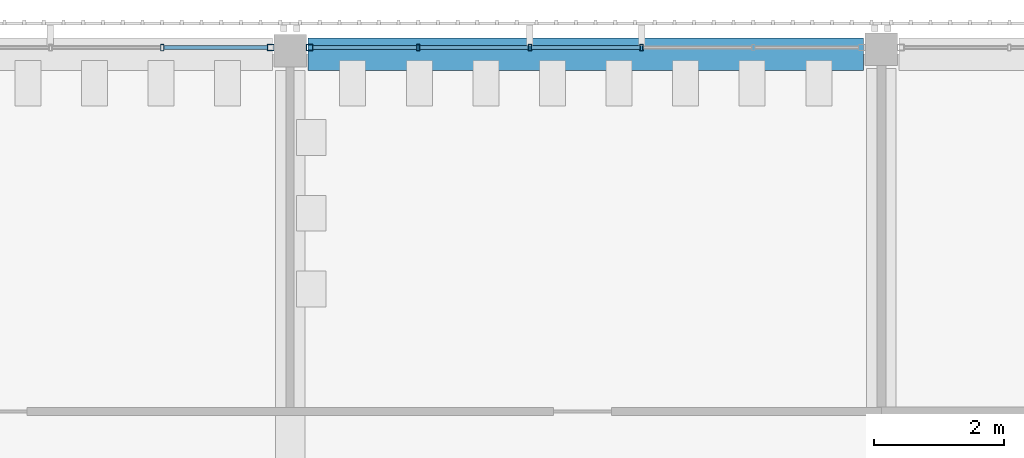
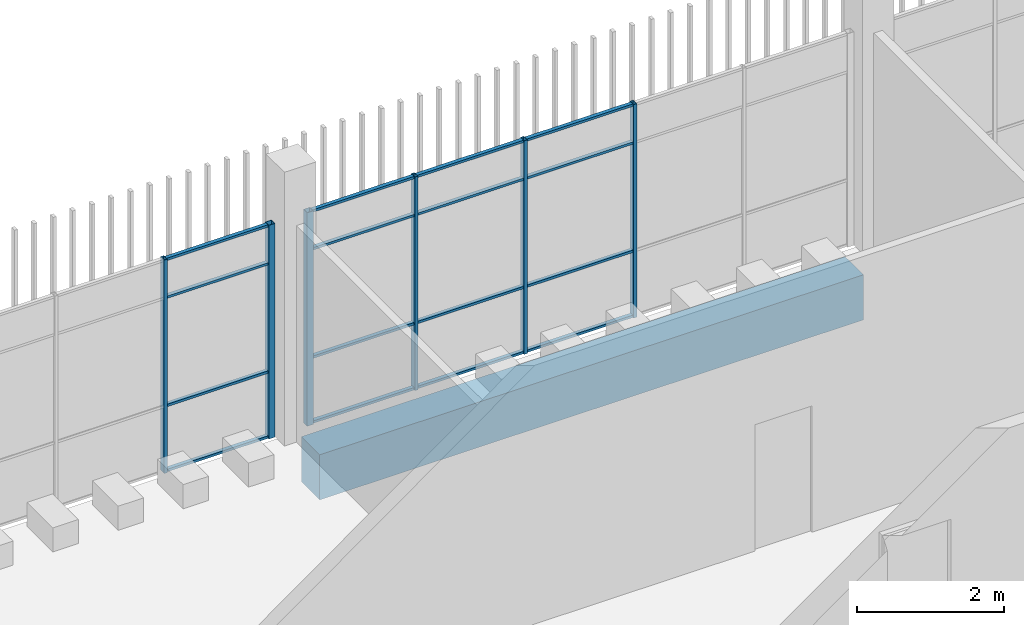
# One storey, part 47 of 139: 22 members, 1 beam, 2 elements without a shape of their own.
"""IFC4 building model written with IfcOpenShell, lengths in metres."""

from ifc_helpers import new_model, si_unit, direction, frame, origin, origin_2d, place, context, subcontext, project, spatial, rectangle, hollow_rectangle, extrude, material, layer, layer_set, material_profile, profile_set, type_object, element, aggregate, save


model = new_model("IFC4")

# Units and contexts
model_context = context("Model", 3, precision=1e-05, world=origin(), true_north=direction((0.0, 1.0)))
body_context = subcontext(model_context, "Body", "Model", "MODEL_VIEW")
ifc_project = project(units=[si_unit("LENGTHUNIT", "METRE"), si_unit("AREAUNIT", "SQUARE_METRE"), si_unit("VOLUMEUNIT", "CUBIC_METRE"), si_unit("PLANEANGLEUNIT", "RADIAN"), si_unit("MASSUNIT", "GRAM", prefix="KILO")], contexts=[model_context])

# Site, building, storey
site_placement = place(None, origin())
site = spatial("IfcSite", under=ifc_project, at=site_placement, CompositionType="ELEMENT")
building_placement = place(site_placement, origin())
building = spatial("IfcBuilding", under=site, at=building_placement, Name="Shirokan Park Arena", CompositionType="ELEMENT")
storey_placement = place(building_placement, frame((0.0, 0.0, 15.469970703125)))
storey = spatial("IfcBuildingStorey", under=building, at=storey_placement, Name="L03", CompositionType="ELEMENT", Elevation=15.469970703125)

# Curtain wall, member
ifc_material_1 = material(Name="Steel and glass curtain wall", Category="steel")
ifc_layer = layer(ifc_material_1, 0.10009765625)
ifc_layer_set = layer_set([ifc_layer], Name="Steel and glass curtain wall 100 mm")
curtain_wall_type = type_object("IfcCurtainWallType", Name="Curtain wall sheltered bay 100", PredefinedType="NOTDEFINED", material=ifc_layer_set)
curtain_wall_1_placement = place(storey_placement, origin())
curtain_wall_1 = element("IfcCurtainWall", 1, at=curtain_wall_1_placement, inside=storey, type_object=curtain_wall_type, Name="Curtain wall north bay 7 L03", PredefinedType="NOTDEFINED")
ifc_material_2 = material(Name="Steel S355", Category="steel")
ifc_material_profile_1 = material_profile(ifc_material_2, hollow_rectangle(XDim=0.10009765625, YDim=0.10009765625, WallThickness=0.006103515625, at=origin_2d()), Name="RHS 100x100x6")
ifc_profile_set_1 = profile_set([ifc_material_profile_1], Name="Steel S355")
member_type_1 = type_object("IfcMemberType", Name="Mullion RHS 100x100x6", PredefinedType="MULLION", material=ifc_profile_set_1)
member_1_placement = place(storey_placement, frame((82.199951171875, 109.300048828125, 0.0), z_axis=(0.0, 0.0, 1.0), x_axis=(0.0, -1.0, 0.0)))
member_1 = element("IfcMember", 2, at=member_1_placement, type_object=member_type_1, Name="CW2 mullion 6", PredefinedType="MULLION", context=body_context, shape_type="SweptSolid", body=[
    extrude(hollow_rectangle(XDim=0.10009765625, YDim=0.10009765625, WallThickness=0.006103515625, at=origin_2d()), origin(), (0.0, 0.0, 1.0), 3.550048828125),
])

curtain_wall_2_placement = place(storey_placement, origin())
curtain_wall_2 = element("IfcCurtainWall", 3, at=curtain_wall_2_placement, inside=storey, type_object=curtain_wall_type, Name="Curtain wall north bay 8 L03", PredefinedType="NOTDEFINED")
member_2_placement = place(storey_placement, frame((81.60009765625, 109.300048828125, 0.0), z_axis=(0.0, 0.0, 1.0), x_axis=(0.0, -1.0, 0.0)))
member_2 = element("IfcMember", 4, at=member_2_placement, type_object=member_type_1, Name="CW2 mullion 1", PredefinedType="MULLION", context=body_context, shape_type="SweptSolid", body=[
    extrude(hollow_rectangle(XDim=0.10009765625, YDim=0.10009765625, WallThickness=0.006103515625, at=origin_2d()), origin(), (0.0, 0.0, 1.0), 3.550048828125),
])

# Member
ifc_material_profile_2 = material_profile(ifc_material_2, hollow_rectangle(XDim=0.10009765625, YDim=0.050048828125, WallThickness=0.0048828125, at=origin_2d()), Name="RHS 100x50x5")
ifc_profile_set_2 = profile_set([ifc_material_profile_2], Name="Steel S355")
member_type_2 = type_object("IfcMemberType", Name="Mullion RHS 100x50x5", PredefinedType="MULLION", material=ifc_profile_set_2)
member_3_placement = place(storey_placement, frame((87.31005859375, 109.300048828125, 0.0), z_axis=(0.0, 0.0, 1.0), x_axis=(0.0, -1.0, 0.0)))
member_3 = element("IfcMember", 5, at=member_3_placement, type_object=member_type_2, Name="CW2 mullion 3", PredefinedType="MULLION", context=body_context, shape_type="SweptSolid", body=[
    extrude(hollow_rectangle(XDim=0.10009765625, YDim=0.050048828125, WallThickness=0.0048828125, at=origin_2d()), origin(), (0.0, 0.0, 1.0), 3.550048828125),
])

member_4_placement = place(storey_placement, frame((85.590087890625, 109.300048828125, 0.0), z_axis=(0.0, 0.0, 1.0), x_axis=(0.0, -1.0, 0.0)))
member_4 = element("IfcMember", 6, at=member_4_placement, type_object=member_type_2, Name="CW2 mullion 4", PredefinedType="MULLION", context=body_context, shape_type="SweptSolid", body=[
    extrude(hollow_rectangle(XDim=0.10009765625, YDim=0.050048828125, WallThickness=0.0048828125, at=origin_2d()), origin(), (0.0, 0.0, 1.0), 3.550048828125),
])

member_5_placement = place(storey_placement, frame((83.8701171875, 109.300048828125, 0.0), z_axis=(0.0, 0.0, 1.0), x_axis=(0.0, -1.0, 0.0)))
member_5 = element("IfcMember", 7, at=member_5_placement, type_object=member_type_2, Name="CW2 mullion 5", PredefinedType="MULLION", context=body_context, shape_type="SweptSolid", body=[
    extrude(hollow_rectangle(XDim=0.10009765625, YDim=0.050048828125, WallThickness=0.0048828125, at=origin_2d()), origin(), (0.0, 0.0, 1.0), 3.550048828125),
])

member_6_placement = place(storey_placement, frame((79.929931640625, 109.300048828125, 0.0), z_axis=(0.0, 0.0, 1.0), x_axis=(0.0, -1.0, 0.0)))
member_6 = element("IfcMember", 8, at=member_6_placement, type_object=member_type_2, Name="CW2 mullion 2", PredefinedType="MULLION", context=body_context, shape_type="SweptSolid", body=[
    extrude(hollow_rectangle(XDim=0.10009765625, YDim=0.050048828125, WallThickness=0.0048828125, at=origin_2d()), origin(), (0.0, 0.0, 1.0), 3.550048828125),
])

# Beam
ifc_material_3 = material(Name="Concrete C35", Category="concrete")
ifc_material_profile_3 = material_profile(ifc_material_3, rectangle(XDim=0.5, YDim=0.75, at=origin_2d()), Name="500x750")
ifc_profile_set_3 = profile_set([ifc_material_profile_3], Name="Concrete C35")
beam_type = type_object("IfcBeamType", Name="RC girder 500x750", PredefinedType="BEAM", material=ifc_profile_set_3)
beam_placement = place(storey_placement, frame((82.175048828125, 109.199951171875, -0.675048828125), z_axis=(1.0, 0.0, 0.0), x_axis=(0.0, 1.0, 0.0)))
element("IfcBeam", 9, at=beam_placement, inside=storey, type_object=beam_type, Name="Girder 10N-11N L03", PredefinedType="BEAM", context=body_context, shape_type="SweptSolid", body=[
    extrude(rectangle(XDim=0.5, YDim=0.75, at=origin_2d()), origin(), (0.0, 0.0, 1.0), 8.5498046875),
])

# Member
ifc_material_profile_4 = material_profile(ifc_material_2, hollow_rectangle(XDim=0.06005859375, YDim=0.0400390625, WallThickness=0.00390625, at=origin_2d()), Name="RHS 60x40x4")
ifc_profile_set_4 = profile_set([ifc_material_profile_4], Name="Steel S355")
member_type_3 = type_object("IfcMemberType", Name="Transom RHS 60x40x4", PredefinedType="MULLION", material=ifc_profile_set_4)
member_7_placement = place(storey_placement, frame((87.284912109375, 109.300048828125, 0.02001953125), z_axis=(-1.0, 0.0, 0.0), x_axis=(0.0, -1.0, 0.0)))
member_7 = element("IfcMember", 10, at=member_7_placement, type_object=member_type_3, Name="CW2 transom 3.1", PredefinedType="MULLION", context=body_context, shape_type="SweptSolid", body=[
    extrude(hollow_rectangle(XDim=0.06005859375, YDim=0.0400390625, WallThickness=0.00390625, at=origin_2d()), origin(), (0.0, 0.0, 1.0), 1.669921875),
])

member_8_placement = place(storey_placement, frame((87.284912109375, 109.300048828125, 1.10009765625), z_axis=(-1.0, 0.0, 0.0), x_axis=(0.0, -1.0, 0.0)))
member_8 = element("IfcMember", 11, at=member_8_placement, type_object=member_type_3, Name="CW2 transom 3.2", PredefinedType="MULLION", context=body_context, shape_type="SweptSolid", body=[
    extrude(hollow_rectangle(XDim=0.06005859375, YDim=0.0400390625, WallThickness=0.00390625, at=origin_2d()), origin(), (0.0, 0.0, 1.0), 1.669921875),
])

member_9_placement = place(storey_placement, frame((87.284912109375, 109.300048828125, 2.900146484375), z_axis=(-1.0, 0.0, 0.0), x_axis=(0.0, -1.0, 0.0)))
member_9 = element("IfcMember", 12, at=member_9_placement, type_object=member_type_3, Name="CW2 transom 3.3", PredefinedType="MULLION", context=body_context, shape_type="SweptSolid", body=[
    extrude(hollow_rectangle(XDim=0.06005859375, YDim=0.0400390625, WallThickness=0.00390625, at=origin_2d()), origin(), (0.0, 0.0, 1.0), 1.669921875),
])

member_10_placement = place(storey_placement, frame((87.284912109375, 109.300048828125, 3.530029296875), z_axis=(-1.0, 0.0, 0.0), x_axis=(0.0, -1.0, 0.0)))
member_10 = element("IfcMember", 13, at=member_10_placement, type_object=member_type_3, Name="CW2 transom 3.4", PredefinedType="MULLION", context=body_context, shape_type="SweptSolid", body=[
    extrude(hollow_rectangle(XDim=0.06005859375, YDim=0.0400390625, WallThickness=0.00390625, at=origin_2d()), origin(), (0.0, 0.0, 1.0), 1.669921875),
])

member_11_placement = place(storey_placement, frame((85.56494140625, 109.300048828125, 0.02001953125), z_axis=(-1.0, 0.0, 0.0), x_axis=(0.0, -1.0, 0.0)))
member_11 = element("IfcMember", 14, at=member_11_placement, type_object=member_type_3, Name="CW2 transom 4.1", PredefinedType="MULLION", context=body_context, shape_type="SweptSolid", body=[
    extrude(hollow_rectangle(XDim=0.06005859375, YDim=0.0400390625, WallThickness=0.00390625, at=origin_2d()), origin(), (0.0, 0.0, 1.0), 1.669921875),
])

member_12_placement = place(storey_placement, frame((85.56494140625, 109.300048828125, 1.10009765625), z_axis=(-1.0, 0.0, 0.0), x_axis=(0.0, -1.0, 0.0)))
member_12 = element("IfcMember", 15, at=member_12_placement, type_object=member_type_3, Name="CW2 transom 4.2", PredefinedType="MULLION", context=body_context, shape_type="SweptSolid", body=[
    extrude(hollow_rectangle(XDim=0.06005859375, YDim=0.0400390625, WallThickness=0.00390625, at=origin_2d()), origin(), (0.0, 0.0, 1.0), 1.669921875),
])

member_13_placement = place(storey_placement, frame((85.56494140625, 109.300048828125, 2.900146484375), z_axis=(-1.0, 0.0, 0.0), x_axis=(0.0, -1.0, 0.0)))
member_13 = element("IfcMember", 16, at=member_13_placement, type_object=member_type_3, Name="CW2 transom 4.3", PredefinedType="MULLION", context=body_context, shape_type="SweptSolid", body=[
    extrude(hollow_rectangle(XDim=0.06005859375, YDim=0.0400390625, WallThickness=0.00390625, at=origin_2d()), origin(), (0.0, 0.0, 1.0), 1.669921875),
])

member_14_placement = place(storey_placement, frame((85.56494140625, 109.300048828125, 3.530029296875), z_axis=(-1.0, 0.0, 0.0), x_axis=(0.0, -1.0, 0.0)))
member_14 = element("IfcMember", 17, at=member_14_placement, type_object=member_type_3, Name="CW2 transom 4.4", PredefinedType="MULLION", context=body_context, shape_type="SweptSolid", body=[
    extrude(hollow_rectangle(XDim=0.06005859375, YDim=0.0400390625, WallThickness=0.00390625, at=origin_2d()), origin(), (0.0, 0.0, 1.0), 1.669921875),
])

member_15_placement = place(storey_placement, frame((83.844970703125, 109.300048828125, 0.02001953125), z_axis=(-1.0, 0.0, 0.0), x_axis=(0.0, -1.0, 0.0)))
member_15 = element("IfcMember", 18, at=member_15_placement, type_object=member_type_3, Name="CW2 transom 5.1", PredefinedType="MULLION", context=body_context, shape_type="SweptSolid", body=[
    extrude(hollow_rectangle(XDim=0.06005859375, YDim=0.0400390625, WallThickness=0.00390625, at=origin_2d()), origin(), (0.0, 0.0, 1.0), 1.594970703125),
])

member_16_placement = place(storey_placement, frame((83.844970703125, 109.300048828125, 1.10009765625), z_axis=(-1.0, 0.0, 0.0), x_axis=(0.0, -1.0, 0.0)))
member_16 = element("IfcMember", 19, at=member_16_placement, type_object=member_type_3, Name="CW2 transom 5.2", PredefinedType="MULLION", context=body_context, shape_type="SweptSolid", body=[
    extrude(hollow_rectangle(XDim=0.06005859375, YDim=0.0400390625, WallThickness=0.00390625, at=origin_2d()), origin(), (0.0, 0.0, 1.0), 1.594970703125),
])

member_17_placement = place(storey_placement, frame((83.844970703125, 109.300048828125, 2.900146484375), z_axis=(-1.0, 0.0, 0.0), x_axis=(0.0, -1.0, 0.0)))
member_17 = element("IfcMember", 20, at=member_17_placement, type_object=member_type_3, Name="CW2 transom 5.3", PredefinedType="MULLION", context=body_context, shape_type="SweptSolid", body=[
    extrude(hollow_rectangle(XDim=0.06005859375, YDim=0.0400390625, WallThickness=0.00390625, at=origin_2d()), origin(), (0.0, 0.0, 1.0), 1.594970703125),
])

member_18_placement = place(storey_placement, frame((83.844970703125, 109.300048828125, 3.530029296875), z_axis=(-1.0, 0.0, 0.0), x_axis=(0.0, -1.0, 0.0)))
member_18 = element("IfcMember", 21, at=member_18_placement, type_object=member_type_3, Name="CW2 transom 5.4", PredefinedType="MULLION", context=body_context, shape_type="SweptSolid", body=[
    extrude(hollow_rectangle(XDim=0.06005859375, YDim=0.0400390625, WallThickness=0.00390625, at=origin_2d()), origin(), (0.0, 0.0, 1.0), 1.594970703125),
])

aggregate(curtain_wall_1, [member_3, member_4, member_5, member_1, member_7, member_8, member_9, member_10, member_11, member_12, member_13, member_14, member_15, member_16, member_17, member_18])

member_19_placement = place(storey_placement, frame((81.550048828125, 109.300048828125, 0.02001953125), z_axis=(-1.0, 0.0, 0.0), x_axis=(0.0, -1.0, 0.0)))
member_19 = element("IfcMember", 22, at=member_19_placement, type_object=member_type_3, Name="CW2 transom 1.1", PredefinedType="MULLION", context=body_context, shape_type="SweptSolid", body=[
    extrude(hollow_rectangle(XDim=0.06005859375, YDim=0.0400390625, WallThickness=0.00390625, at=origin_2d()), origin(), (0.0, 0.0, 1.0), 1.594970703125),
])

member_20_placement = place(storey_placement, frame((81.550048828125, 109.300048828125, 1.10009765625), z_axis=(-1.0, 0.0, 0.0), x_axis=(0.0, -1.0, 0.0)))
member_20 = element("IfcMember", 23, at=member_20_placement, type_object=member_type_3, Name="CW2 transom 1.2", PredefinedType="MULLION", context=body_context, shape_type="SweptSolid", body=[
    extrude(hollow_rectangle(XDim=0.06005859375, YDim=0.0400390625, WallThickness=0.00390625, at=origin_2d()), origin(), (0.0, 0.0, 1.0), 1.594970703125),
])

member_21_placement = place(storey_placement, frame((81.550048828125, 109.300048828125, 2.900146484375), z_axis=(-1.0, 0.0, 0.0), x_axis=(0.0, -1.0, 0.0)))
member_21 = element("IfcMember", 24, at=member_21_placement, type_object=member_type_3, Name="CW2 transom 1.3", PredefinedType="MULLION", context=body_context, shape_type="SweptSolid", body=[
    extrude(hollow_rectangle(XDim=0.06005859375, YDim=0.0400390625, WallThickness=0.00390625, at=origin_2d()), origin(), (0.0, 0.0, 1.0), 1.594970703125),
])

member_22_placement = place(storey_placement, frame((81.550048828125, 109.300048828125, 3.530029296875), z_axis=(-1.0, 0.0, 0.0), x_axis=(0.0, -1.0, 0.0)))
member_22 = element("IfcMember", 25, at=member_22_placement, type_object=member_type_3, Name="CW2 transom 1.4", PredefinedType="MULLION", context=body_context, shape_type="SweptSolid", body=[
    extrude(hollow_rectangle(XDim=0.06005859375, YDim=0.0400390625, WallThickness=0.00390625, at=origin_2d()), origin(), (0.0, 0.0, 1.0), 1.594970703125),
])

aggregate(curtain_wall_2, [member_2, member_6, member_19, member_20, member_21, member_22])

save(model, "model.ifc")
